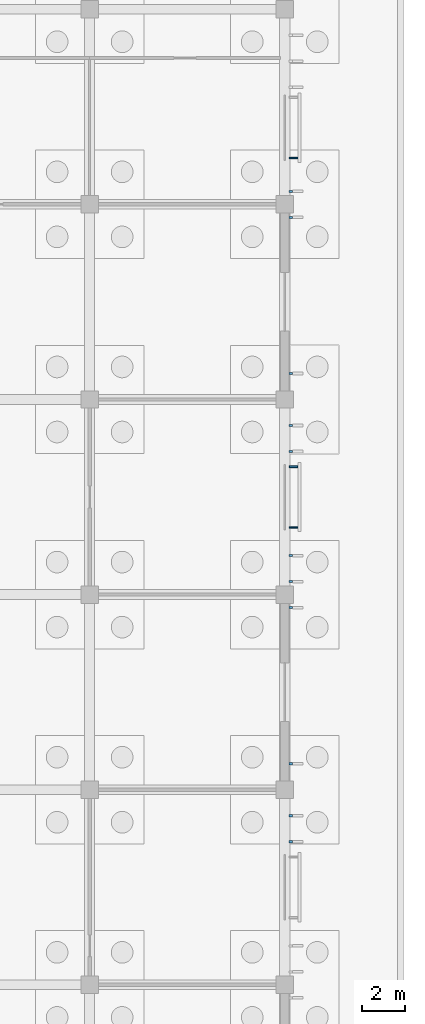
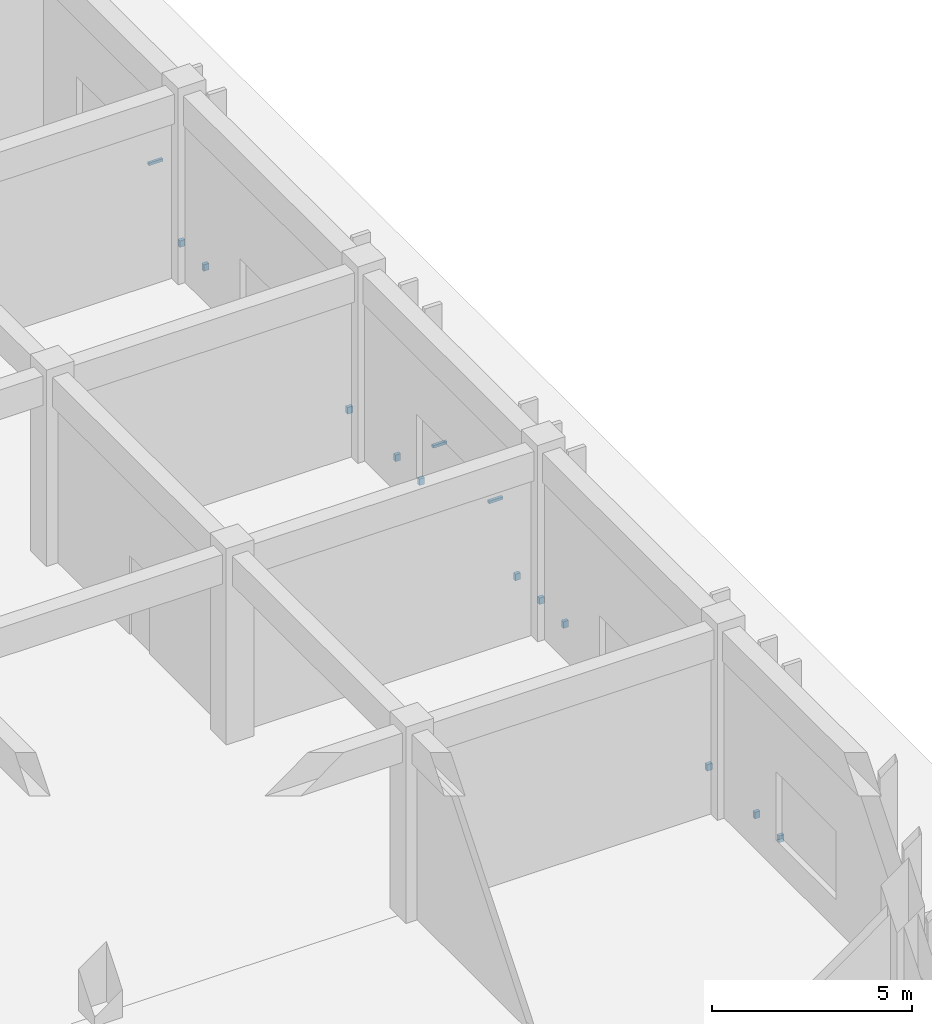
# One storey, part 135 of 198: 14 discrete accessories.
"""IFC4 building model written with IfcOpenShell, lengths in metres."""

from ifc_helpers import new_model, si_unit, direction, frame, origin, origin_2d, place, context, subcontext, project, spatial, rectangle, extrude, material, type_object, element, save


model = new_model("IFC4")

# Units and contexts
model_context = context("Model", 3, precision=1e-05, world=origin(), true_north=direction((0.0, 1.0)))
body_context = subcontext(model_context, "Body", "Model", "MODEL_VIEW")
ifc_project = project(units=[si_unit("LENGTHUNIT", "METRE"), si_unit("AREAUNIT", "SQUARE_METRE"), si_unit("VOLUMEUNIT", "CUBIC_METRE"), si_unit("PLANEANGLEUNIT", "RADIAN"), si_unit("MASSUNIT", "GRAM", prefix="KILO")], contexts=[model_context])

# Site, building, storey
site_placement = place(None, origin())
site = spatial("IfcSite", under=ifc_project, at=site_placement, CompositionType="ELEMENT")
building_placement = place(site_placement, origin())
building = spatial("IfcBuilding", under=site, at=building_placement, Name="Opaline Strait Convention Centre", CompositionType="ELEMENT")
storey_placement = place(building_placement, origin())
storey = spatial("IfcBuildingStorey", under=building, at=storey_placement, Name="L00", CompositionType="ELEMENT", Elevation=0.0)

# Discrete accessories
ifc_material = material(Name="Stainless steel 304", Category="steel")
discrete_accessory_type_1 = type_object("IfcDiscreteAccessoryType", Name="Fin bracket 150 stainless steel", PredefinedType="BRACKET", material=ifc_material)
for number, where, z_axis, x_axis, name in (
    (1, (360.27490234375, 132.60009765625, 0.35009765625), (0.0, 0.0, 1.0), (1.0, 0.0, 0.0), "Fin bracket"),
    (2, (360.27490234375, 133.800048828125, 0.35009765625), (0.0, 0.0, 1.0), (1.0, 0.0, 0.0), "Fin bracket"),
    (3, (360.27490234375, 136.199951171875, 0.35009765625), (0.0, 0.0, 1.0), (1.0, 0.0, 0.0), "Fin bracket"),
    (4, (360.27490234375, 143.39990234375, 0.35009765625), (0.0, 0.0, 1.0), (1.0, 0.0, 0.0), "Fin bracket"),
    (5, (360.27490234375, 144.60009765625, 0.35009765625), (0.0, 0.0, 1.0), (1.0, 0.0, 0.0), "Fin bracket"),
    (6, (360.27490234375, 145.800048828125, 0.35009765625), (0.0, 0.0, 1.0), (1.0, 0.0, 0.0), "Fin bracket"),
    (7, (360.27490234375, 150.60009765625, 0.35009765625), (0.0, 0.0, 1.0), (1.0, 0.0, 0.0), "Fin bracket"),
    (8, (360.27490234375, 151.800048828125, 0.35009765625), (0.0, 0.0, 1.0), (1.0, 0.0, 0.0), "Fin bracket"),
    (9, (360.27490234375, 154.199951171875, 0.35009765625), (0.0, 0.0, 1.0), (1.0, 0.0, 0.0), "Fin bracket"),
    (10, (360.27490234375, 161.39990234375, 0.35009765625), (0.0, 0.0, 1.0), (1.0, 0.0, 0.0), "Fin bracket"),
    (11, (360.27490234375, 162.60009765625, 0.35009765625), (0.0, 0.0, 1.0), (1.0, 0.0, 0.0), "Fin bracket"),
):
    element("IfcDiscreteAccessory", number, at=place(storey_placement, frame(where, z_axis=z_axis, x_axis=x_axis)), inside=storey, type_object=discrete_accessory_type_1, Name=name, PredefinedType="BRACKET", context=body_context, shape_type="SweptSolid", body=[
        extrude(rectangle(XDim=0.14990234375, YDim=0.10009765625, at=origin_2d()), origin(), (0.0, 0.0, 1.0), 0.199951171875),
    ])
discrete_accessory_type_2 = type_object("IfcDiscreteAccessoryType", Name="Louvre bracket 400 stainless steel", PredefinedType="BRACKET", material=ifc_material)
for number, where, z_axis, x_axis, name in (
    (12, (360.39990234375, 147.10009765625, 1.909912109375), (0.0, 0.0, 1.0), (1.0, 0.0, 0.0), "Louvre bracket"),
    (13, (360.39990234375, 149.89990234375, 1.909912109375), (0.0, 0.0, 1.0), (1.0, 0.0, 0.0), "Louvre bracket"),
    (14, (360.39990234375, 164.137451171875, 1.909912109375), (0.0, 0.0, 1.0), (1.0, 0.0, 0.0), "Louvre bracket"),
):
    element("IfcDiscreteAccessory", number, at=place(storey_placement, frame(where, z_axis=z_axis, x_axis=x_axis)), inside=storey, type_object=discrete_accessory_type_2, Name=name, PredefinedType="BRACKET", context=body_context, shape_type="SweptSolid", body=[
        extrude(rectangle(XDim=0.39990234375, YDim=0.080078125, at=origin_2d()), origin(), (0.0, 0.0, 1.0), 0.080078125),
    ])

save(model, "model.ifc")
